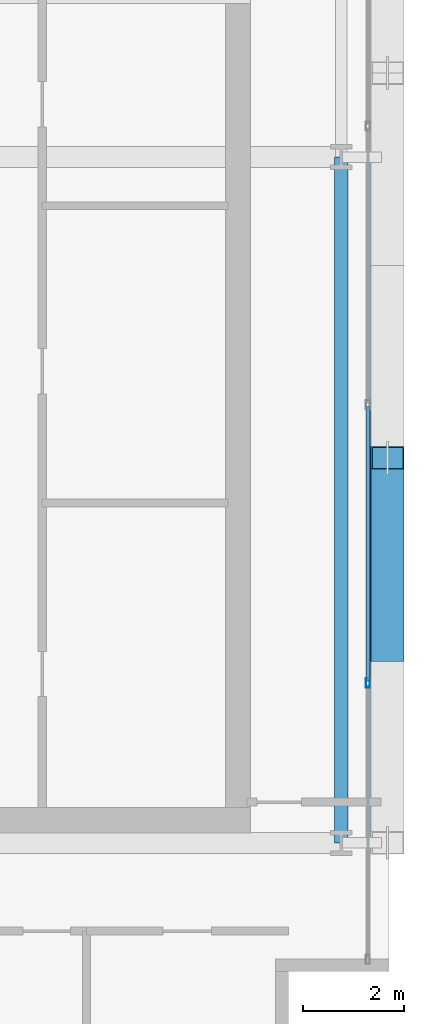
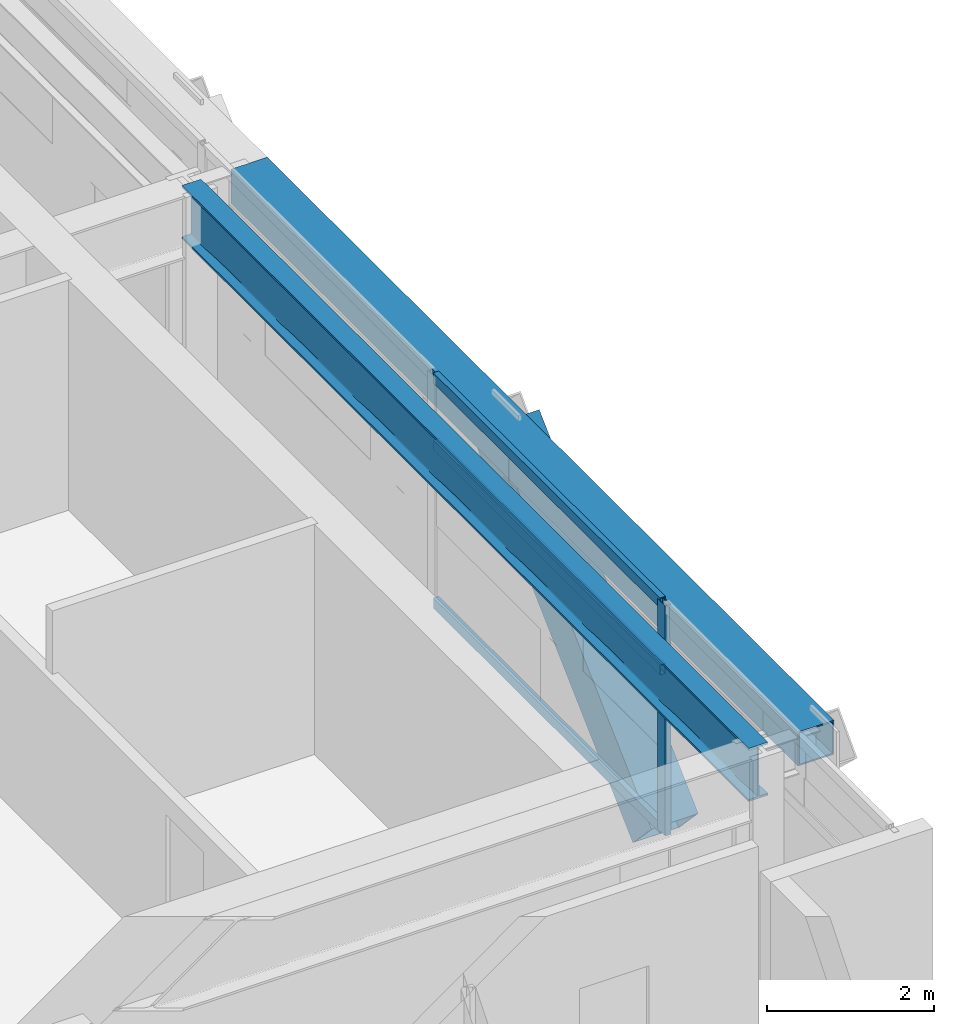
# One storey, part 15 of 38: 5 members, 2 beams, 1 element without a shape of its own.
"""IFC4 building model written with IfcOpenShell, lengths in metres."""

from ifc_helpers import new_model, si_unit, direction, frame, origin, origin_2d, place, context, subcontext, project, spatial, hollow_rectangle, i_section, extrude, source, transform, mapped, material, layer, layer_set, material_profile, profile_set, type_object, element, aggregate, save


model = new_model("IFC4")

# Units and contexts
model_context = context("Model", 3, precision=1e-05, world=origin(), true_north=direction((0.0, 1.0)))
body_context = subcontext(model_context, "Body", "Model", "MODEL_VIEW")
ifc_project = project(units=[si_unit("LENGTHUNIT", "METRE"), si_unit("AREAUNIT", "SQUARE_METRE"), si_unit("VOLUMEUNIT", "CUBIC_METRE"), si_unit("PLANEANGLEUNIT", "RADIAN"), si_unit("MASSUNIT", "GRAM", prefix="KILO")], contexts=[model_context])

# Site, building, storey
site_placement = place(None, origin())
site = spatial("IfcSite", under=ifc_project, at=site_placement, CompositionType="ELEMENT")
building_placement = place(site_placement, origin())
building = spatial("IfcBuilding", under=site, at=building_placement, Name="Ocotamira Hotel", CompositionType="ELEMENT")
storey_placement = place(building_placement, frame((0.0, 0.0, 170.39990234375)))
storey = spatial("IfcBuildingStorey", under=building, at=storey_placement, Name="L42", CompositionType="ELEMENT", Elevation=170.39990234375)

# Beams
ifc_material_1 = material(Name="Steel ASTM A992 Grade 50", Category="steel")
ifc_material_profile_1 = material_profile(ifc_material_1, i_section(OverallWidth=0.26611328125, OverallDepth=0.779052734375, WebThickness=0.0166015625, FlangeThickness=0.030029296875, FilletRadius=0.01806640625, at=origin_2d()), Name="W30X148")
ifc_profile_set_1 = profile_set([ifc_material_profile_1], Name="Steel ASTM A992 Grade 50")
beam_type_1 = type_object("IfcBeamType", Name="BM-GIRD-W30X148", PredefinedType="BEAM", material=ifc_profile_set_1)
shared_shape_1 = source(origin(), body_context, "Body", "SweptSolid", [
    extrude(i_section(OverallWidth=0.26611328125, OverallDepth=0.779052734375, WebThickness=0.0166015625, FlangeThickness=0.030029296875, FilletRadius=0.01806640625, at=origin_2d()), origin(), (0.0, 0.0, 1.0), 13.599853515625),
])
beam_1_placement = place(storey_placement, frame((55.050048828125, 14.550048828125, 2.980712890625), z_axis=(0.0, 1.0, 0.0), x_axis=(-1.0, 0.0, 0.0)))
element("IfcBeam", 1, at=beam_1_placement, inside=storey, type_object=beam_type_1, Name="L42 Beam X55.05 Y14.55-28.15", PredefinedType="BEAM", context=body_context, shape_type="MappedRepresentation", body=[
    mapped(shared_shape_1, transform((0.0, 0.0, 0.0), scale=1.0)),
])
ifc_material_2 = material(Name="Steel ASTM A500 Grade C", Category="steel")
ifc_material_profile_2 = material_profile(ifc_material_2, hollow_rectangle(XDim=0.5, YDim=0.5, WallThickness=0.02001953125, at=origin_2d()), Name="HSS500X500X20")
ifc_profile_set_2 = profile_set([ifc_material_profile_2], Name="Steel ASTM A500 Grade C")
beam_type_2 = type_object("IfcBeamType", Name="BM-SPAN-HSS500", PredefinedType="USERDEFINED", material=ifc_profile_set_2)
shared_shape_2 = source(origin(), body_context, "Body", "SweptSolid", [
    extrude(hollow_rectangle(XDim=0.5, YDim=0.5, WallThickness=0.02001953125, at=origin_2d()), origin(), (0.0, 0.0, 1.0), 13.599853515625),
])
beam_2_placement = place(storey_placement, frame((55.85009765625, 14.550048828125, 3.1201171875), z_axis=(0.0, 1.0, 0.0), x_axis=(-1.0, 0.0, 0.0)))
element("IfcBeam", 2, at=beam_2_placement, inside=storey, type_object=beam_type_2, Name="L42 Edge Spandrel E Y14.55-28.15", ObjectType="SPANDREL", PredefinedType="USERDEFINED", context=body_context, shape_type="MappedRepresentation", body=[
    mapped(shared_shape_2, transform((0.0, 0.0, 0.0), scale=1.0)),
])

# Member
ifc_material_3 = material(Name="Pale-metal coated steel ASTM A913 Grade 65", Category="steel")
ifc_material_profile_3 = material_profile(ifc_material_3, hollow_rectangle(XDim=0.64990234375, YDim=0.64990234375, WallThickness=0.02197265625, at=origin_2d()), Name="BOX650X650X22")
ifc_profile_set_3 = profile_set([ifc_material_profile_3], Name="Pale-metal coated steel ASTM A913 Grade 65")
member_type_1 = type_object("IfcMemberType", Name="MEM-EXO-BOX650", PredefinedType="BRACE", material=ifc_profile_set_3)
shared_shape_3 = source(origin(), body_context, "Body", "SweptSolid", [
    extrude(hollow_rectangle(XDim=0.64990234375, YDim=0.64990234375, WallThickness=0.02197265625, at=origin_2d()), origin(), (0.0, 0.0, 1.0), 5.24658203125),
])
member_1_placement = place(storey_placement, frame((55.969970703125, 18.36669921875, -0.47998046875), z_axis=(0.0, 0.727442733726, 0.686168397078), x_axis=(-1.0, 0.0, 0.0)))
element("IfcMember", 3, at=member_1_placement, inside=storey, type_object=member_type_1, Name="L42 Exoskeleton Diagrid E0.2", PredefinedType="BRACE", context=body_context, shape_type="MappedRepresentation", body=[
    mapped(shared_shape_3, transform((0.0, 0.0, 0.0), scale=1.0)),
])

# Curtain wall, members
ifc_material_4 = material(Name="Anodised pale-metal aluminium and solar glass", Category="aluminium")
ifc_layer = layer(ifc_material_4, 0.199951171875)
ifc_layer_set = layer_set([ifc_layer], Name="Anodised pale-metal aluminium and solar glass")
curtain_wall_type = type_object("IfcCurtainWallType", Name="CW-SYS4-Z3", PredefinedType="NOTDEFINED", material=ifc_layer_set)
curtain_wall_placement = place(storey_placement, origin())
curtain_wall = element("IfcCurtainWall", 4, at=curtain_wall_placement, inside=storey, type_object=curtain_wall_type, Name="L42 Curtain Wall CW-4 CW-L42-E", PredefinedType="NOTDEFINED")
ifc_material_5 = material(Name="Anodised pale-metal aluminium 6063-T6", Category="aluminium")
ifc_material_profile_4 = material_profile(ifc_material_5, hollow_rectangle(XDim=0.080078125, YDim=0.179931640625, WallThickness=0.006103515625, at=origin_2d()), Name="HSS180X80X6")
ifc_profile_set_4 = profile_set([ifc_material_profile_4], Name="Anodised pale-metal aluminium 6063-T6")
member_type_2 = type_object("IfcMemberType", Name="CWM-180X75", PredefinedType="MULLION", material=ifc_profile_set_4)
shared_shape_4 = source(origin(), body_context, "Body", "SweptSolid", [
    extrude(hollow_rectangle(XDim=0.080078125, YDim=0.179931640625, WallThickness=0.006103515625, at=origin_2d()), origin(), (0.0, 0.0, 1.0), 3.3701171875),
])
member_2_placement = place(storey_placement, frame((55.580078125, 17.719970703125, 0.0), z_axis=(0.0, 0.0, 1.0), x_axis=(-1.0, 0.0, 0.0)))
member_2 = element("IfcMember", 5, at=member_2_placement, type_object=member_type_2, Name="CW-4 mullion 2", PredefinedType="MULLION", context=body_context, shape_type="MappedRepresentation", body=[
    mapped(shared_shape_4, transform((0.0, 0.0, 0.0), scale=1.0)),
])
ifc_material_profile_5 = material_profile(ifc_material_5, hollow_rectangle(XDim=0.074951171875, YDim=0.14990234375, WallThickness=0.006103515625, at=origin_2d()), Name="HSS150X75X6")
ifc_profile_set_5 = profile_set([ifc_material_profile_5], Name="Anodised pale-metal aluminium 6063-T6")
member_type_3 = type_object("IfcMemberType", Name="CWT-150X75", PredefinedType="USERDEFINED", material=ifc_profile_set_5)
shared_shape_5 = source(origin(), body_context, "Body", "SweptSolid", [
    extrude(hollow_rectangle(XDim=0.074951171875, YDim=0.14990234375, WallThickness=0.006103515625, at=origin_2d()), origin(), (0.0, 0.0, 1.0), 5.43994140625),
])
member_3_placement = place(storey_placement, frame((55.580078125, 17.760009765625, 0.03759765625), z_axis=(0.0, 1.0, 0.0), x_axis=(-1.0, 0.0, 0.0)))
member_3 = element("IfcMember", 6, at=member_3_placement, type_object=member_type_3, Name="CW-4 transom 2.1", ObjectType="TRANSOM", PredefinedType="USERDEFINED", context=body_context, shape_type="MappedRepresentation", body=[
    mapped(shared_shape_5, transform((0.0, 0.0, 0.0), scale=1.0)),
])
member_4_placement = place(storey_placement, frame((55.580078125, 17.760009765625, 2.35009765625), z_axis=(0.0, 1.0, 0.0), x_axis=(-1.0, 0.0, 0.0)))
member_4 = element("IfcMember", 7, at=member_4_placement, type_object=member_type_3, Name="CW-4 transom 2.2", ObjectType="TRANSOM", PredefinedType="USERDEFINED", context=body_context, shape_type="MappedRepresentation", body=[
    mapped(shared_shape_5, transform((0.0, 0.0, 0.0), scale=1.0)),
])
member_5_placement = place(storey_placement, frame((55.580078125, 17.760009765625, 3.33251953125), z_axis=(0.0, 1.0, 0.0), x_axis=(-1.0, 0.0, 0.0)))
member_5 = element("IfcMember", 8, at=member_5_placement, type_object=member_type_3, Name="CW-4 transom 2.3", ObjectType="TRANSOM", PredefinedType="USERDEFINED", context=body_context, shape_type="MappedRepresentation", body=[
    mapped(shared_shape_5, transform((0.0, 0.0, 0.0), scale=1.0)),
])
aggregate(curtain_wall, [member_2, member_3, member_4, member_5])

save(model, "model.ifc")
